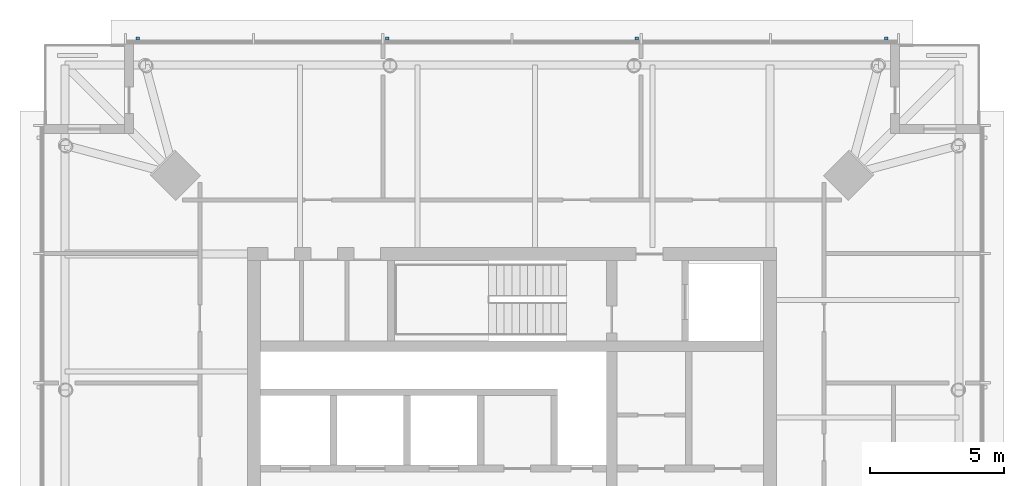
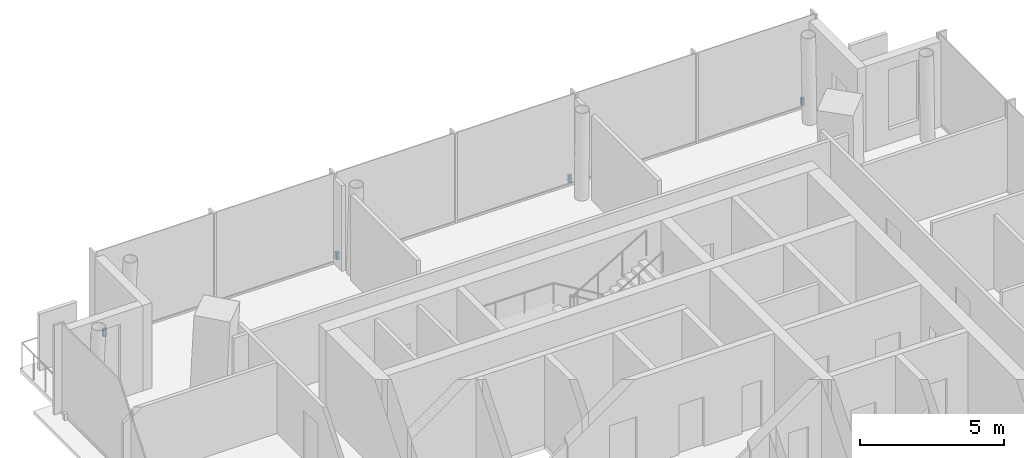
# One storey, part 10 of 11: 4 discrete accessories.
"""IFC4 building model written with IfcOpenShell, lengths in metres."""

from ifc_helpers import new_model, si_unit, direction, frame, origin, origin_2d, place, context, subcontext, project, spatial, rectangle, extrude, material, type_object, element, save


model = new_model("IFC4")

# Units and contexts
model_context = context("Model", 3, precision=1e-05, world=origin(), true_north=direction((0.0, 1.0)))
body_context = subcontext(model_context, "Body", "Model", "MODEL_VIEW")
ifc_project = project(units=[si_unit("LENGTHUNIT", "METRE"), si_unit("AREAUNIT", "SQUARE_METRE"), si_unit("VOLUMEUNIT", "CUBIC_METRE"), si_unit("PLANEANGLEUNIT", "RADIAN"), si_unit("MASSUNIT", "GRAM", prefix="KILO")], contexts=[model_context])

# Site, building, storey
site_placement = place(None, origin())
site = spatial("IfcSite", under=ifc_project, at=site_placement, CompositionType="ELEMENT")
building_placement = place(site_placement, origin())
building = spatial("IfcBuilding", under=site, at=building_placement, Name="Ostroluk Exchange", CompositionType="ELEMENT")
storey_placement = place(building_placement, frame((0.0, 0.0, 249.0)))
storey = spatial("IfcBuildingStorey", under=building, at=storey_placement, Name="L64", CompositionType="ELEMENT", Elevation=249.0)

# Discrete accessories
ifc_material = material(Name="Stainless steel", Category="steel")
discrete_accessory_type = type_object("IfcDiscreteAccessoryType", Name="Fall-arrest anchor PN-EN 795 type C", PredefinedType="USERDEFINED", material=ifc_material)
for number, where, z_axis, x_axis, name in (
    (1, (31.0, 63.7099609375, 0.0), (0.0, 0.0, 1.0), (1.0, 0.0, 0.0), "Fall-arrest anchor L64 north 1"),
    (2, (40.333251953125, 63.7099609375, 0.0), (0.0, 0.0, 1.0), (1.0, 0.0, 0.0), "Fall-arrest anchor L64 north 2"),
    (3, (49.666748046875, 63.7099609375, 0.0), (0.0, 0.0, 1.0), (1.0, 0.0, 0.0), "Fall-arrest anchor L64 north 3"),
    (4, (59.0, 63.7099609375, 0.0), (0.0, 0.0, 1.0), (1.0, 0.0, 0.0), "Fall-arrest anchor L64 north 4"),
):
    element("IfcDiscreteAccessory", number, at=place(storey_placement, frame(where, z_axis=z_axis, x_axis=x_axis)), inside=storey, type_object=discrete_accessory_type, Name=name, ObjectType="FALL ARREST ANCHOR", PredefinedType="USERDEFINED", context=body_context, shape_type="SweptSolid", body=[
        extrude(rectangle(XDim=0.1201171875, YDim=0.1201171875, at=origin_2d()), origin(), (0.0, 0.0, 1.0), 0.300048828125),
    ])

save(model, "model.ifc")
